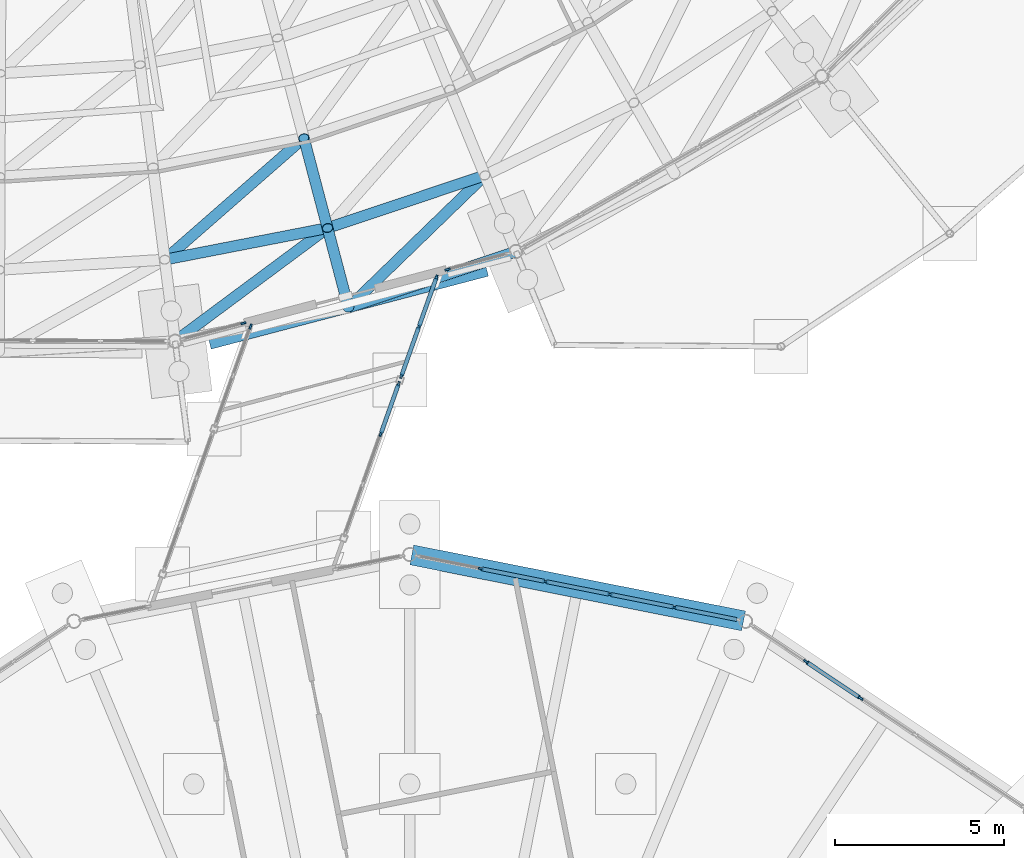
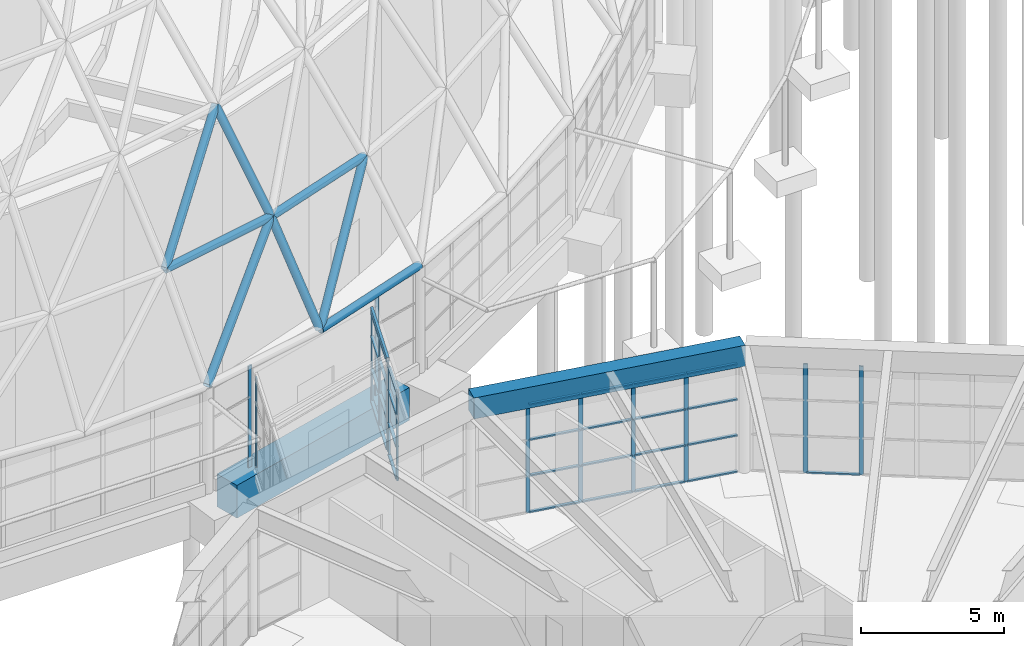
# One storey, part 97 of 226: 51 members, 3 beams, 7 elements without a shape of their own.
"""IFC4 building model written with IfcOpenShell, lengths in metres."""

from ifc_helpers import new_model, si_unit, direction, frame, origin, origin_2d, place, context, subcontext, project, spatial, rectangle, hollow_rectangle, hollow_circle, extrude, material, material_profile, profile_set, type_object, element, aggregate, save


model = new_model("IFC4")

# Units and contexts
model_context = context("Model", 3, precision=1e-05, world=origin(), true_north=direction((0.0, 1.0)))
body_context = subcontext(model_context, "Body", "Model", "MODEL_VIEW")
ifc_project = project(units=[si_unit("LENGTHUNIT", "METRE"), si_unit("AREAUNIT", "SQUARE_METRE"), si_unit("VOLUMEUNIT", "CUBIC_METRE"), si_unit("PLANEANGLEUNIT", "RADIAN"), si_unit("MASSUNIT", "GRAM", prefix="KILO")], contexts=[model_context])

# Site, building, storey
site_placement = place(None, origin())
site = spatial("IfcSite", under=ifc_project, at=site_placement, CompositionType="ELEMENT")
building_placement = place(site_placement, origin())
building = spatial("IfcBuilding", under=site, at=building_placement, Name="Ceibo Conservatory and Research Tower", CompositionType="ELEMENT")
storey_placement = place(building_placement, origin())
storey = spatial("IfcBuildingStorey", under=building, at=storey_placement, Name="L00", CompositionType="ELEMENT", Elevation=0.0)

# Members
ifc_material_1 = material(Name="Steel ASTM A500 Gr C", Category="steel")
ifc_material_profile_1 = material_profile(ifc_material_1, hollow_circle(Radius=0.161865234375, WallThickness=0.01025390625, at=origin_2d()), Name="CHS 323.9x10.31")
ifc_profile_set_1 = profile_set([ifc_material_profile_1], Name="Steel ASTM A500 Gr C")
member_type_1 = type_object("IfcMemberType", Name="CHS 323.9x10.31", PredefinedType="NOTDEFINED", material=ifc_profile_set_1)
member_1_placement = place(storey_placement, frame((160.740966796875, 70.735107421875, 8.115966796875), z_axis=(0.981608406676, 0.190905568132, 0.0), x_axis=(-0.190905568132, 0.981608406676, 0.0)))
element("IfcMember", 1, at=member_1_placement, inside=storey, type_object=member_type_1, Name="Gridshell member A-C02-37", PredefinedType="CHORD", context=body_context, shape_type="SweptSolid", body=[
    extrude(hollow_circle(Radius=0.161865234375, WallThickness=0.01025390625, at=origin_2d()), origin(), (0.0, 0.0, 1.0), 4.913330078125),
])
member_2_placement = place(storey_placement, frame((165.56396484375, 71.673095703125, 8.115966796875), z_axis=(0.94834989607, 0.31722621995, 0.0), x_axis=(-0.31722621995, 0.94834989607, 0.0)))
element("IfcMember", 2, at=member_2_placement, inside=storey, type_object=member_type_1, Name="Gridshell member A-C02-38", PredefinedType="CHORD", context=body_context, shape_type="SweptSolid", body=[
    extrude(hollow_circle(Radius=0.161865234375, WallThickness=0.01025390625, at=origin_2d()), origin(), (0.0, 0.0, 1.0), 4.9140625),
])
ifc_material_profile_2 = material_profile(ifc_material_1, hollow_circle(Radius=0.161865234375, WallThickness=0.01416015625, at=origin_2d()), Name="CHS 323.9x14.27")
ifc_profile_set_2 = profile_set([ifc_material_profile_2], Name="Steel ASTM A500 Gr C")
member_type_2 = type_object("IfcMemberType", Name="CHS 323.9x14.27", PredefinedType="NOTDEFINED", material=ifc_profile_set_2)
member_3_placement = place(storey_placement, frame((166.18408203125, 69.318115234375, 4.5), z_axis=(-0.142243326425, 0.540188632558, 0.829435396726), x_axis=(-0.967035567708, -0.254641337547, 0.0)))
element("IfcMember", 3, at=member_3_placement, inside=storey, type_object=member_type_2, Name="Gridshell member A-M38-01", PredefinedType="RAFTER", context=body_context, shape_type="SweptSolid", body=[
    extrude(hollow_circle(Radius=0.161865234375, WallThickness=0.01416015625, at=origin_2d()), origin(), (0.0, 0.0, 1.0), 4.359619140625),
])
member_4_placement = place(storey_placement, frame((165.56396484375, 71.673095703125, 8.115966796875), z_axis=(-0.16127418638, 0.612382565304, 0.773936838844), x_axis=(-0.967027541568, -0.254671815969, 0.0)))
element("IfcMember", 4, at=member_4_placement, inside=storey, type_object=member_type_2, Name="Gridshell member A-M38-02", PredefinedType="RAFTER", context=body_context, shape_type="SweptSolid", body=[
    extrude(hollow_circle(Radius=0.161865234375, WallThickness=0.01416015625, at=origin_2d()), origin(), (0.0, 0.0, 1.0), 4.3583984375),
])
ifc_material_2 = material(Name="Steel S355J2H", Category="steel")
ifc_material_profile_3 = material_profile(ifc_material_2, hollow_circle(Radius=0.161865234375, WallThickness=0.025390625, at=origin_2d()), Name="CHS 323.9x25.40")
ifc_profile_set_3 = profile_set([ifc_material_profile_3], Name="Steel S355J2H")
member_type_3 = type_object("IfcMemberType", Name="CHS 323.9x25.40", PredefinedType="NOTDEFINED", material=ifc_profile_set_3)
member_5_placement = place(storey_placement, frame((166.18408203125, 69.318115234375, 4.5), z_axis=(0.948342120967, 0.317249462726, 0.0), x_axis=(-0.317249462726, 0.948342120967, 0.0)))
element("IfcMember", 5, at=member_5_placement, inside=storey, type_object=member_type_3, Name="Gridshell member A-C01-38", PredefinedType="CHORD", context=body_context, shape_type="SweptSolid", body=[
    extrude(hollow_circle(Radius=0.161865234375, WallThickness=0.025390625, at=origin_2d()), origin(), (0.0, 0.0, 1.0), 5.232177734375),
])
ifc_material_profile_4 = material_profile(ifc_material_1, hollow_circle(Radius=0.161865234375, WallThickness=0.00830078125, at=origin_2d()), Name="CHS 323.9x8.38")
ifc_profile_set_4 = profile_set([ifc_material_profile_4], Name="Steel ASTM A500 Gr C")
member_type_4 = type_object("IfcMemberType", Name="CHS 323.9x8.38", PredefinedType="NOTDEFINED", material=ifc_profile_set_4)
member_6_placement = place(storey_placement, frame((161.048095703125, 68.320068359375, 4.5), z_axis=(0.675357546429, 0.50145215671, 0.540775294381), x_axis=(-0.596138579298, 0.802881556814, 0.0)))
element("IfcMember", 6, at=member_6_placement, inside=storey, type_object=member_type_4, Name="Gridshell diagonal member A-D01-37", PredefinedType="BRACE", context=body_context, shape_type="SweptSolid", body=[
    extrude(hollow_circle(Radius=0.161865234375, WallThickness=0.00830078125, at=origin_2d()), origin(), (0.0, 0.0, 1.0), 6.6865234375),
])
member_7_placement = place(storey_placement, frame((166.18408203125, 69.318115234375, 4.5), z_axis=(0.604168994213, 0.585293276905, 0.54075096527), x_axis=(-0.695798014623, 0.718237511445, 0.0)))
element("IfcMember", 7, at=member_7_placement, inside=storey, type_object=member_type_4, Name="Gridshell diagonal member A-D01-38", PredefinedType="BRACE", context=body_context, shape_type="SweptSolid", body=[
    extrude(hollow_circle(Radius=0.161865234375, WallThickness=0.00830078125, at=origin_2d()), origin(), (0.0, 0.0, 1.0), 6.68701171875),
])
member_8_placement = place(storey_placement, frame((160.740966796875, 70.735107421875, 8.115966796875), z_axis=(0.640626212112, 0.560832641487, 0.524466209205), x_axis=(-0.658693973243, 0.75241095793, 0.0)))
element("IfcMember", 8, at=member_8_placement, inside=storey, type_object=member_type_4, Name="Gridshell diagonal member A-D02-37", PredefinedType="BRACE", context=body_context, shape_type="SweptSolid", body=[
    extrude(hollow_circle(Radius=0.161865234375, WallThickness=0.00830078125, at=origin_2d()), origin(), (0.0, 0.0, 1.0), 6.431396484375),
])

# Curtain wall, member
ifc_material_3 = material(Name="Aluminium and glass", Category="aluminium")
curtain_wall_type_1 = type_object("IfcCurtainWallType", Name="Drum curtain wall", PredefinedType="NOTDEFINED", material=ifc_material_3)
curtain_wall_1_placement = place(storey_placement, origin())
curtain_wall_1 = element("IfcCurtainWall", 9, at=curtain_wall_1_placement, inside=storey, type_object=curtain_wall_type_1, Name="Drum curtain wall A-CW19W", PredefinedType="NOTDEFINED")
ifc_material_4 = material(Name="Aluminium", Category="aluminium")
ifc_material_profile_5 = material_profile(ifc_material_4, rectangle(XDim=0.06005859375, YDim=0.159912109375, at=origin_2d()), Name="AL 60x160")
ifc_profile_set_5 = profile_set([ifc_material_profile_5], Name="Aluminium")
member_type_5 = type_object("IfcMemberType", Name="Drum mullion 60x160", PredefinedType="MULLION", material=ifc_profile_set_5)
member_9_placement = place(storey_placement, frame((163.074462890625, 68.853271484375, 0.0), z_axis=(0.0, 0.0, 1.0), x_axis=(-0.254601962062, 0.967045935266, 0.0)))
member_9 = element("IfcMember", 10, at=member_9_placement, type_object=member_type_5, Name="A-CW19W mullion 2", PredefinedType="MULLION", context=body_context, shape_type="SweptSolid", body=[
    extrude(rectangle(XDim=0.06005859375, YDim=0.159912109375, at=origin_2d()), origin(), (0.0, 0.0, 1.0), 4.338134765625),
])
aggregate(curtain_wall_1, [member_9])

curtain_wall_2_placement = place(storey_placement, origin())
curtain_wall_2 = element("IfcCurtainWall", 11, at=curtain_wall_2_placement, inside=storey, type_object=curtain_wall_type_1, Name="Drum curtain wall A-CW19E", PredefinedType="NOTDEFINED")
member_10_placement = place(storey_placement, frame((169.119384765625, 70.44482421875, 0.0), z_axis=(0.0, 0.0, 1.0), x_axis=(-0.254601962062, 0.967045935266, 0.0)))
member_10 = element("IfcMember", 12, at=member_10_placement, type_object=member_type_5, Name="A-CW19E mullion 1", PredefinedType="MULLION", context=body_context, shape_type="SweptSolid", body=[
    extrude(rectangle(XDim=0.06005859375, YDim=0.159912109375, at=origin_2d()), origin(), (0.0, 0.0, 1.0), 4.338134765625),
])
aggregate(curtain_wall_2, [member_10])

# Curtain wall, members
curtain_wall_type_2 = type_object("IfcCurtainWallType", Name="Gallery curtain wall", PredefinedType="NOTDEFINED", material=ifc_material_3)
curtain_wall_3_placement = place(storey_placement, origin())
curtain_wall_3 = element("IfcCurtainWall", 13, at=curtain_wall_3_placement, inside=storey, type_object=curtain_wall_type_2, Name="Gallery curtain wall A-VC-CWN01", PredefinedType="NOTDEFINED")
ifc_material_profile_6 = material_profile(ifc_material_4, rectangle(XDim=0.06005859375, YDim=0.159912109375, at=origin_2d()), Name="AL 60x160")
ifc_profile_set_6 = profile_set([ifc_material_profile_6], Name="Aluminium")
member_type_6 = type_object("IfcMemberType", Name="Gallery mullion 60x160", PredefinedType="MULLION", material=ifc_profile_set_6)
member_11_placement = place(storey_placement, frame((168.787841796875, 70.20263671875, 0.0), z_axis=(0.0, 0.0, 1.0), x_axis=(0.942203896378, -0.335040023954, 0.0)))
member_11 = element("IfcMember", 14, at=member_11_placement, type_object=member_type_6, Name="A-VC-CWN01 mullion 1", PredefinedType="MULLION", context=body_context, shape_type="SweptSolid", body=[
    extrude(rectangle(XDim=0.06005859375, YDim=0.159912109375, at=origin_2d()), origin(), (0.0, 0.0, 1.0), 3.800048828125),
])
member_12_placement = place(storey_placement, frame((168.2705078125, 68.74755859375, 0.0), z_axis=(0.0, 0.0, 1.0), x_axis=(0.942203896378, -0.335040023954, 0.0)))
member_12 = element("IfcMember", 15, at=member_12_placement, type_object=member_type_6, Name="A-VC-CWN01 mullion 2", PredefinedType="MULLION", context=body_context, shape_type="SweptSolid", body=[
    extrude(rectangle(XDim=0.06005859375, YDim=0.159912109375, at=origin_2d()), origin(), (0.0, 0.0, 1.0), 3.800048828125),
])
member_13_placement = place(storey_placement, frame((167.753173828125, 67.29248046875, 0.0), z_axis=(0.0, 0.0, 1.0), x_axis=(0.942203896378, -0.335040023954, 0.0)))
member_13 = element("IfcMember", 16, at=member_13_placement, type_object=member_type_6, Name="A-VC-CWN01 mullion 3", PredefinedType="MULLION", context=body_context, shape_type="SweptSolid", body=[
    extrude(rectangle(XDim=0.06005859375, YDim=0.159912109375, at=origin_2d()), origin(), (0.0, 0.0, 1.0), 3.800048828125),
])

curtain_wall_4_placement = place(storey_placement, origin())
curtain_wall_4 = element("IfcCurtainWall", 17, at=curtain_wall_4_placement, inside=storey, type_object=curtain_wall_type_2, Name="Gallery curtain wall A-VC-CWN02", PredefinedType="NOTDEFINED")
member_14_placement = place(storey_placement, frame((167.666015625, 67.047607421875, 0.0), z_axis=(0.0, 0.0, 1.0), x_axis=(0.942203896378, -0.335040023954, 0.0)))
member_14 = element("IfcMember", 18, at=member_14_placement, type_object=member_type_6, Name="A-VC-CWN02 mullion 1", PredefinedType="MULLION", context=body_context, shape_type="SweptSolid", body=[
    extrude(rectangle(XDim=0.06005859375, YDim=0.159912109375, at=origin_2d()), origin(), (0.0, 0.0, 1.0), 3.800048828125),
])
member_15_placement = place(storey_placement, frame((167.143310546875, 65.577392578125, 0.0), z_axis=(0.0, 0.0, 1.0), x_axis=(0.942203896378, -0.335040023954, 0.0)))
member_15 = element("IfcMember", 19, at=member_15_placement, type_object=member_type_6, Name="A-VC-CWN02 mullion 2", PredefinedType="MULLION", context=body_context, shape_type="SweptSolid", body=[
    extrude(rectangle(XDim=0.06005859375, YDim=0.159912109375, at=origin_2d()), origin(), (0.0, 0.0, 1.0), 3.800048828125),
])

# Curtain wall, member
curtain_wall_5_placement = place(storey_placement, origin())
curtain_wall_5 = element("IfcCurtainWall", 20, at=curtain_wall_5_placement, inside=storey, type_object=curtain_wall_type_2, Name="Gallery curtain wall A-VC-CWS01", PredefinedType="NOTDEFINED")
member_16_placement = place(storey_placement, frame((163.284423828125, 68.753662109375, 0.0), z_axis=(0.0, 0.0, 1.0), x_axis=(0.942203896378, -0.335040023954, 0.0)))
member_16 = element("IfcMember", 21, at=member_16_placement, type_object=member_type_6, Name="A-VC-CWS01 mullion 1", PredefinedType="MULLION", context=body_context, shape_type="SweptSolid", body=[
    extrude(rectangle(XDim=0.06005859375, YDim=0.159912109375, at=origin_2d()), origin(), (0.0, 0.0, 1.0), 3.800048828125),
])
aggregate(curtain_wall_5, [member_16])

# Member
ifc_material_profile_7 = material_profile(ifc_material_4, rectangle(XDim=0.1201171875, YDim=0.06005859375, at=origin_2d()), Name="AL 60x120")
ifc_profile_set_7 = profile_set([ifc_material_profile_7], Name="Aluminium")
member_type_7 = type_object("IfcMemberType", Name="Gallery transom 60x120", PredefinedType="USERDEFINED", material=ifc_profile_set_7)
member_17_placement = place(storey_placement, frame((168.77783203125, 70.17431640625, 0.030029296875), z_axis=(-0.335064833395, -0.942195073975, 0.0), x_axis=(0.942195073975, -0.335064833395, 0.0)))
member_17 = element("IfcMember", 22, at=member_17_placement, type_object=member_type_7, Name="A-VC-CWN01 transom 1.1", ObjectType="TRANSOM", PredefinedType="USERDEFINED", context=body_context, shape_type="SweptSolid", body=[
    extrude(rectangle(XDim=0.1201171875, YDim=0.06005859375, at=origin_2d()), origin(), (0.0, 0.0, 1.0), 1.484130859375),
])

member_18_placement = place(storey_placement, frame((168.77783203125, 70.17431640625, 1.39990234375), z_axis=(-0.335064833395, -0.942195073975, 0.0), x_axis=(0.942195073975, -0.335064833395, 0.0)))
member_18 = element("IfcMember", 23, at=member_18_placement, type_object=member_type_7, Name="A-VC-CWN01 transom 1.2", ObjectType="TRANSOM", PredefinedType="USERDEFINED", context=body_context, shape_type="SweptSolid", body=[
    extrude(rectangle(XDim=0.1201171875, YDim=0.06005859375, at=origin_2d()), origin(), (0.0, 0.0, 1.0), 1.484130859375),
])

member_19_placement = place(storey_placement, frame((168.77783203125, 70.17431640625, 2.800048828125), z_axis=(-0.335064833395, -0.942195073975, 0.0), x_axis=(0.942195073975, -0.335064833395, 0.0)))
member_19 = element("IfcMember", 24, at=member_19_placement, type_object=member_type_7, Name="A-VC-CWN01 transom 1.3", ObjectType="TRANSOM", PredefinedType="USERDEFINED", context=body_context, shape_type="SweptSolid", body=[
    extrude(rectangle(XDim=0.1201171875, YDim=0.06005859375, at=origin_2d()), origin(), (0.0, 0.0, 1.0), 1.484130859375),
])

member_20_placement = place(storey_placement, frame((168.77783203125, 70.17431640625, 3.77001953125), z_axis=(-0.335064833395, -0.942195073975, 0.0), x_axis=(0.942195073975, -0.335064833395, 0.0)))
member_20 = element("IfcMember", 25, at=member_20_placement, type_object=member_type_7, Name="A-VC-CWN01 transom 1.4", ObjectType="TRANSOM", PredefinedType="USERDEFINED", context=body_context, shape_type="SweptSolid", body=[
    extrude(rectangle(XDim=0.1201171875, YDim=0.06005859375, at=origin_2d()), origin(), (0.0, 0.0, 1.0), 1.484130859375),
])

member_21_placement = place(storey_placement, frame((168.260498046875, 68.719482421875, 0.030029296875), z_axis=(-0.335012912227, -0.942213536647, 0.0), x_axis=(0.942213536647, -0.335012912227, 0.0)))
member_21 = element("IfcMember", 26, at=member_21_placement, type_object=member_type_7, Name="A-VC-CWN01 transom 2.1", ObjectType="TRANSOM", PredefinedType="USERDEFINED", context=body_context, shape_type="SweptSolid", body=[
    extrude(rectangle(XDim=0.1201171875, YDim=0.06005859375, at=origin_2d()), origin(), (0.0, 0.0, 1.0), 1.484375),
])

member_22_placement = place(storey_placement, frame((168.260498046875, 68.719482421875, 1.39990234375), z_axis=(-0.335012912227, -0.942213536647, 0.0), x_axis=(0.942213536647, -0.335012912227, 0.0)))
member_22 = element("IfcMember", 27, at=member_22_placement, type_object=member_type_7, Name="A-VC-CWN01 transom 2.2", ObjectType="TRANSOM", PredefinedType="USERDEFINED", context=body_context, shape_type="SweptSolid", body=[
    extrude(rectangle(XDim=0.1201171875, YDim=0.06005859375, at=origin_2d()), origin(), (0.0, 0.0, 1.0), 1.484375),
])

member_23_placement = place(storey_placement, frame((168.260498046875, 68.719482421875, 2.800048828125), z_axis=(-0.335012912227, -0.942213536647, 0.0), x_axis=(0.942213536647, -0.335012912227, 0.0)))
member_23 = element("IfcMember", 28, at=member_23_placement, type_object=member_type_7, Name="A-VC-CWN01 transom 2.3", ObjectType="TRANSOM", PredefinedType="USERDEFINED", context=body_context, shape_type="SweptSolid", body=[
    extrude(rectangle(XDim=0.1201171875, YDim=0.06005859375, at=origin_2d()), origin(), (0.0, 0.0, 1.0), 1.484375),
])

member_24_placement = place(storey_placement, frame((168.260498046875, 68.719482421875, 3.77001953125), z_axis=(-0.335012912227, -0.942213536647, 0.0), x_axis=(0.942213536647, -0.335012912227, 0.0)))
member_24 = element("IfcMember", 29, at=member_24_placement, type_object=member_type_7, Name="A-VC-CWN01 transom 2.4", ObjectType="TRANSOM", PredefinedType="USERDEFINED", context=body_context, shape_type="SweptSolid", body=[
    extrude(rectangle(XDim=0.1201171875, YDim=0.06005859375, at=origin_2d()), origin(), (0.0, 0.0, 1.0), 1.484375),
])

aggregate(curtain_wall_3, [member_11, member_12, member_13, member_17, member_18, member_19, member_20, member_21, member_22, member_23, member_24])

member_25_placement = place(storey_placement, frame((167.656005859375, 67.019287109375, 0.030029296875), z_axis=(-0.335057822274, -0.94219756725, 0.0), x_axis=(0.94219756725, -0.335057822274, 0.0)))
member_25 = element("IfcMember", 30, at=member_25_placement, type_object=member_type_7, Name="A-VC-CWN02 transom 1.1", ObjectType="TRANSOM", PredefinedType="USERDEFINED", context=body_context, shape_type="SweptSolid", body=[
    extrude(rectangle(XDim=0.1201171875, YDim=0.06005859375, at=origin_2d()), origin(), (0.0, 0.0, 1.0), 1.500244140625),
])

member_26_placement = place(storey_placement, frame((167.656005859375, 67.019287109375, 1.39990234375), z_axis=(-0.335057822274, -0.94219756725, 0.0), x_axis=(0.94219756725, -0.335057822274, 0.0)))
member_26 = element("IfcMember", 31, at=member_26_placement, type_object=member_type_7, Name="A-VC-CWN02 transom 1.2", ObjectType="TRANSOM", PredefinedType="USERDEFINED", context=body_context, shape_type="SweptSolid", body=[
    extrude(rectangle(XDim=0.1201171875, YDim=0.06005859375, at=origin_2d()), origin(), (0.0, 0.0, 1.0), 1.500244140625),
])

member_27_placement = place(storey_placement, frame((167.656005859375, 67.019287109375, 2.800048828125), z_axis=(-0.335057822274, -0.94219756725, 0.0), x_axis=(0.94219756725, -0.335057822274, 0.0)))
member_27 = element("IfcMember", 32, at=member_27_placement, type_object=member_type_7, Name="A-VC-CWN02 transom 1.3", ObjectType="TRANSOM", PredefinedType="USERDEFINED", context=body_context, shape_type="SweptSolid", body=[
    extrude(rectangle(XDim=0.1201171875, YDim=0.06005859375, at=origin_2d()), origin(), (0.0, 0.0, 1.0), 1.500244140625),
])

member_28_placement = place(storey_placement, frame((167.656005859375, 67.019287109375, 3.77001953125), z_axis=(-0.335057822274, -0.94219756725, 0.0), x_axis=(0.94219756725, -0.335057822274, 0.0)))
member_28 = element("IfcMember", 33, at=member_28_placement, type_object=member_type_7, Name="A-VC-CWN02 transom 1.4", ObjectType="TRANSOM", PredefinedType="USERDEFINED", context=body_context, shape_type="SweptSolid", body=[
    extrude(rectangle(XDim=0.1201171875, YDim=0.06005859375, at=origin_2d()), origin(), (0.0, 0.0, 1.0), 1.500244140625),
])

aggregate(curtain_wall_4, [member_14, member_15, member_25, member_26, member_27, member_28])

# Curtain wall, members
curtain_wall_type_3 = type_object("IfcCurtainWallType", Name="Pavilion curtain wall", PredefinedType="NOTDEFINED", material=ifc_material_3)
curtain_wall_6_placement = place(storey_placement, origin())
curtain_wall_6 = element("IfcCurtainWall", 34, at=curtain_wall_6_placement, inside=storey, type_object=curtain_wall_type_3, Name="Pavilion curtain wall VC-CW03", PredefinedType="NOTDEFINED")
ifc_material_profile_8 = material_profile(ifc_material_4, rectangle(XDim=0.06005859375, YDim=0.159912109375, at=origin_2d()), Name="AL 60x160")
ifc_profile_set_8 = profile_set([ifc_material_profile_8], Name="Aluminium")
member_type_8 = type_object("IfcMemberType", Name="Pavilion mullion 60x160", PredefinedType="MULLION", material=ifc_profile_set_8)
member_29_placement = place(storey_placement, frame((181.357666015625, 57.743896484375, 0.0), z_axis=(0.0, 0.0, 1.0), x_axis=(-0.555570267906, -0.831469588992, 0.0)))
member_29 = element("IfcMember", 35, at=member_29_placement, type_object=member_type_8, Name="VC-CW03 mullion 4", PredefinedType="MULLION", context=body_context, shape_type="SweptSolid", body=[
    extrude(rectangle(XDim=0.06005859375, YDim=0.159912109375, at=origin_2d()), origin(), (0.0, 0.0, 1.0), 4.64892578125),
])
member_30_placement = place(storey_placement, frame((179.738037109375, 58.825927734375, 0.0), z_axis=(0.0, 0.0, 1.0), x_axis=(-0.555570267906, -0.831469588992, 0.0)))
member_30 = element("IfcMember", 36, at=member_30_placement, type_object=member_type_8, Name="VC-CW03 mullion 5", PredefinedType="MULLION", context=body_context, shape_type="SweptSolid", body=[
    extrude(rectangle(XDim=0.06005859375, YDim=0.159912109375, at=origin_2d()), origin(), (0.0, 0.0, 1.0), 4.64892578125),
])

curtain_wall_7_placement = place(storey_placement, origin())
curtain_wall_7 = element("IfcCurtainWall", 37, at=curtain_wall_7_placement, inside=storey, type_object=curtain_wall_type_3, Name="Pavilion curtain wall VC-CW04", PredefinedType="NOTDEFINED")
member_31_placement = place(storey_placement, frame((175.84033203125, 60.4404296875, 0.0), z_axis=(0.0, 0.0, 1.0), x_axis=(-0.195090311899, -0.980785282416, 0.0)))
member_31 = element("IfcMember", 38, at=member_31_placement, type_object=member_type_8, Name="VC-CW04 mullion 2", PredefinedType="MULLION", context=body_context, shape_type="SweptSolid", body=[
    extrude(rectangle(XDim=0.06005859375, YDim=0.159912109375, at=origin_2d()), origin(), (0.0, 0.0, 1.0), 4.64892578125),
])
member_32_placement = place(storey_placement, frame((173.929931640625, 60.820556640625, 0.0), z_axis=(0.0, 0.0, 1.0), x_axis=(-0.195090311899, -0.980785282416, 0.0)))
member_32 = element("IfcMember", 39, at=member_32_placement, type_object=member_type_8, Name="VC-CW04 mullion 3", PredefinedType="MULLION", context=body_context, shape_type="SweptSolid", body=[
    extrude(rectangle(XDim=0.06005859375, YDim=0.159912109375, at=origin_2d()), origin(), (0.0, 0.0, 1.0), 4.64892578125),
])
member_33_placement = place(storey_placement, frame((172.019775390625, 61.200439453125, 0.0), z_axis=(0.0, 0.0, 1.0), x_axis=(-0.195090311899, -0.980785282416, 0.0)))
member_33 = element("IfcMember", 40, at=member_33_placement, type_object=member_type_8, Name="VC-CW04 mullion 4", PredefinedType="MULLION", context=body_context, shape_type="SweptSolid", body=[
    extrude(rectangle(XDim=0.06005859375, YDim=0.159912109375, at=origin_2d()), origin(), (0.0, 0.0, 1.0), 4.64892578125),
])
member_34_placement = place(storey_placement, frame((170.109619140625, 61.580322265625, 0.0), z_axis=(0.0, 0.0, 1.0), x_axis=(-0.195090311899, -0.980785282416, 0.0)))
member_34 = element("IfcMember", 41, at=member_34_placement, type_object=member_type_8, Name="VC-CW04 mullion 5", PredefinedType="MULLION", context=body_context, shape_type="SweptSolid", body=[
    extrude(rectangle(XDim=0.06005859375, YDim=0.159912109375, at=origin_2d()), origin(), (0.0, 0.0, 1.0), 4.64892578125),
])

# Member
ifc_material_profile_9 = material_profile(ifc_material_4, rectangle(XDim=0.1201171875, YDim=0.06005859375, at=origin_2d()), Name="AL 60x120")
ifc_profile_set_9 = profile_set([ifc_material_profile_9], Name="Aluminium")
member_type_9 = type_object("IfcMemberType", Name="Pavilion transom 60x120", PredefinedType="USERDEFINED", material=ifc_profile_set_9)
member_35_placement = place(storey_placement, frame((181.33251953125, 57.760498046875, 0.030029296875), z_axis=(-0.831412983501, 0.555654974661, 0.0), x_axis=(-0.555654974661, -0.831412983501, 0.0)))
member_35 = element("IfcMember", 42, at=member_35_placement, type_object=member_type_9, Name="VC-CW03 transom 4.1", ObjectType="TRANSOM", PredefinedType="USERDEFINED", context=body_context, shape_type="SweptSolid", body=[
    extrude(rectangle(XDim=0.1201171875, YDim=0.06005859375, at=origin_2d()), origin(), (0.0, 0.0, 1.0), 1.887451171875),
])

aggregate(curtain_wall_6, [member_29, member_30, member_35])

member_36_placement = place(storey_placement, frame((177.691650390625, 60.072265625, 0.030029296875), z_axis=(-0.980797424149, 0.195029261348, 0.0), x_axis=(-0.195029261348, -0.980797424149, 0.0)))
member_36 = element("IfcMember", 43, at=member_36_placement, type_object=member_type_9, Name="VC-CW04 transom 1.1", ObjectType="TRANSOM", PredefinedType="USERDEFINED", context=body_context, shape_type="SweptSolid", body=[
    extrude(rectangle(XDim=0.1201171875, YDim=0.06005859375, at=origin_2d()), origin(), (0.0, 0.0, 1.0), 1.857666015625),
])

member_37_placement = place(storey_placement, frame((177.691650390625, 60.072265625, 1.5810546875), z_axis=(-0.980797424149, 0.195029261348, 0.0), x_axis=(-0.195029261348, -0.980797424149, 0.0)))
member_37 = element("IfcMember", 44, at=member_37_placement, type_object=member_type_9, Name="VC-CW04 transom 1.2", ObjectType="TRANSOM", PredefinedType="USERDEFINED", context=body_context, shape_type="SweptSolid", body=[
    extrude(rectangle(XDim=0.1201171875, YDim=0.06005859375, at=origin_2d()), origin(), (0.0, 0.0, 1.0), 1.857666015625),
])

member_38_placement = place(storey_placement, frame((177.691650390625, 60.072265625, 3.114990234375), z_axis=(-0.980797424149, 0.195029261348, 0.0), x_axis=(-0.195029261348, -0.980797424149, 0.0)))
member_38 = element("IfcMember", 45, at=member_38_placement, type_object=member_type_9, Name="VC-CW04 transom 1.3", ObjectType="TRANSOM", PredefinedType="USERDEFINED", context=body_context, shape_type="SweptSolid", body=[
    extrude(rectangle(XDim=0.1201171875, YDim=0.06005859375, at=origin_2d()), origin(), (0.0, 0.0, 1.0), 1.857666015625),
])

member_39_placement = place(storey_placement, frame((177.691650390625, 60.072265625, 4.618896484375), z_axis=(-0.980797424149, 0.195029261348, 0.0), x_axis=(-0.195029261348, -0.980797424149, 0.0)))
member_39 = element("IfcMember", 46, at=member_39_placement, type_object=member_type_9, Name="VC-CW04 transom 1.4", ObjectType="TRANSOM", PredefinedType="USERDEFINED", context=body_context, shape_type="SweptSolid", body=[
    extrude(rectangle(XDim=0.1201171875, YDim=0.06005859375, at=origin_2d()), origin(), (0.0, 0.0, 1.0), 1.857666015625),
])

member_40_placement = place(storey_placement, frame((175.810791015625, 60.4462890625, 0.030029296875), z_axis=(-0.980769252487, 0.195170882501, 0.0), x_axis=(-0.195170882501, -0.980769252487, 0.0)))
member_40 = element("IfcMember", 47, at=member_40_placement, type_object=member_type_9, Name="VC-CW04 transom 2.1", ObjectType="TRANSOM", PredefinedType="USERDEFINED", context=body_context, shape_type="SweptSolid", body=[
    extrude(rectangle(XDim=0.1201171875, YDim=0.06005859375, at=origin_2d()), origin(), (0.0, 0.0, 1.0), 1.8876953125),
])

member_41_placement = place(storey_placement, frame((175.810791015625, 60.4462890625, 1.5810546875), z_axis=(-0.980769252487, 0.195170882501, 0.0), x_axis=(-0.195170882501, -0.980769252487, 0.0)))
member_41 = element("IfcMember", 48, at=member_41_placement, type_object=member_type_9, Name="VC-CW04 transom 2.2", ObjectType="TRANSOM", PredefinedType="USERDEFINED", context=body_context, shape_type="SweptSolid", body=[
    extrude(rectangle(XDim=0.1201171875, YDim=0.06005859375, at=origin_2d()), origin(), (0.0, 0.0, 1.0), 1.8876953125),
])

member_42_placement = place(storey_placement, frame((175.810791015625, 60.4462890625, 3.114990234375), z_axis=(-0.980769252487, 0.195170882501, 0.0), x_axis=(-0.195170882501, -0.980769252487, 0.0)))
member_42 = element("IfcMember", 49, at=member_42_placement, type_object=member_type_9, Name="VC-CW04 transom 2.3", ObjectType="TRANSOM", PredefinedType="USERDEFINED", context=body_context, shape_type="SweptSolid", body=[
    extrude(rectangle(XDim=0.1201171875, YDim=0.06005859375, at=origin_2d()), origin(), (0.0, 0.0, 1.0), 1.8876953125),
])

member_43_placement = place(storey_placement, frame((175.810791015625, 60.4462890625, 4.618896484375), z_axis=(-0.980769252487, 0.195170882501, 0.0), x_axis=(-0.195170882501, -0.980769252487, 0.0)))
member_43 = element("IfcMember", 50, at=member_43_placement, type_object=member_type_9, Name="VC-CW04 transom 2.4", ObjectType="TRANSOM", PredefinedType="USERDEFINED", context=body_context, shape_type="SweptSolid", body=[
    extrude(rectangle(XDim=0.1201171875, YDim=0.06005859375, at=origin_2d()), origin(), (0.0, 0.0, 1.0), 1.8876953125),
])

member_44_placement = place(storey_placement, frame((173.900634765625, 60.826416015625, 0.030029296875), z_axis=(-0.980798922376, 0.195021726654, 0.0), x_axis=(-0.195021726654, -0.980798922376, 0.0)))
member_44 = element("IfcMember", 51, at=member_44_placement, type_object=member_type_9, Name="VC-CW04 transom 3.1", ObjectType="TRANSOM", PredefinedType="USERDEFINED", context=body_context, shape_type="SweptSolid", body=[
    extrude(rectangle(XDim=0.1201171875, YDim=0.06005859375, at=origin_2d()), origin(), (0.0, 0.0, 1.0), 1.8876953125),
])

member_45_placement = place(storey_placement, frame((173.900634765625, 60.826416015625, 1.5810546875), z_axis=(-0.980798922376, 0.195021726654, 0.0), x_axis=(-0.195021726654, -0.980798922376, 0.0)))
member_45 = element("IfcMember", 52, at=member_45_placement, type_object=member_type_9, Name="VC-CW04 transom 3.2", ObjectType="TRANSOM", PredefinedType="USERDEFINED", context=body_context, shape_type="SweptSolid", body=[
    extrude(rectangle(XDim=0.1201171875, YDim=0.06005859375, at=origin_2d()), origin(), (0.0, 0.0, 1.0), 1.8876953125),
])

member_46_placement = place(storey_placement, frame((173.900634765625, 60.826416015625, 3.114990234375), z_axis=(-0.980798922376, 0.195021726654, 0.0), x_axis=(-0.195021726654, -0.980798922376, 0.0)))
member_46 = element("IfcMember", 53, at=member_46_placement, type_object=member_type_9, Name="VC-CW04 transom 3.3", ObjectType="TRANSOM", PredefinedType="USERDEFINED", context=body_context, shape_type="SweptSolid", body=[
    extrude(rectangle(XDim=0.1201171875, YDim=0.06005859375, at=origin_2d()), origin(), (0.0, 0.0, 1.0), 1.8876953125),
])

member_47_placement = place(storey_placement, frame((173.900634765625, 60.826416015625, 4.618896484375), z_axis=(-0.980798922376, 0.195021726654, 0.0), x_axis=(-0.195021726654, -0.980798922376, 0.0)))
member_47 = element("IfcMember", 54, at=member_47_placement, type_object=member_type_9, Name="VC-CW04 transom 3.4", ObjectType="TRANSOM", PredefinedType="USERDEFINED", context=body_context, shape_type="SweptSolid", body=[
    extrude(rectangle(XDim=0.1201171875, YDim=0.06005859375, at=origin_2d()), origin(), (0.0, 0.0, 1.0), 1.8876953125),
])

member_48_placement = place(storey_placement, frame((171.990234375, 61.206298828125, 0.030029296875), z_axis=(-0.98079400277, 0.195046466593, 0.0), x_axis=(-0.195046466593, -0.98079400277, 0.0)))
member_48 = element("IfcMember", 55, at=member_48_placement, type_object=member_type_9, Name="VC-CW04 transom 4.1", ObjectType="TRANSOM", PredefinedType="USERDEFINED", context=body_context, shape_type="SweptSolid", body=[
    extrude(rectangle(XDim=0.1201171875, YDim=0.06005859375, at=origin_2d()), origin(), (0.0, 0.0, 1.0), 1.887451171875),
])

member_49_placement = place(storey_placement, frame((171.990234375, 61.206298828125, 1.5810546875), z_axis=(-0.98079400277, 0.195046466593, 0.0), x_axis=(-0.195046466593, -0.98079400277, 0.0)))
member_49 = element("IfcMember", 56, at=member_49_placement, type_object=member_type_9, Name="VC-CW04 transom 4.2", ObjectType="TRANSOM", PredefinedType="USERDEFINED", context=body_context, shape_type="SweptSolid", body=[
    extrude(rectangle(XDim=0.1201171875, YDim=0.06005859375, at=origin_2d()), origin(), (0.0, 0.0, 1.0), 1.887451171875),
])

member_50_placement = place(storey_placement, frame((171.990234375, 61.206298828125, 3.114990234375), z_axis=(-0.98079400277, 0.195046466593, 0.0), x_axis=(-0.195046466593, -0.98079400277, 0.0)))
member_50 = element("IfcMember", 57, at=member_50_placement, type_object=member_type_9, Name="VC-CW04 transom 4.3", ObjectType="TRANSOM", PredefinedType="USERDEFINED", context=body_context, shape_type="SweptSolid", body=[
    extrude(rectangle(XDim=0.1201171875, YDim=0.06005859375, at=origin_2d()), origin(), (0.0, 0.0, 1.0), 1.887451171875),
])

member_51_placement = place(storey_placement, frame((171.990234375, 61.206298828125, 4.618896484375), z_axis=(-0.98079400277, 0.195046466593, 0.0), x_axis=(-0.195046466593, -0.98079400277, 0.0)))
member_51 = element("IfcMember", 58, at=member_51_placement, type_object=member_type_9, Name="VC-CW04 transom 4.4", ObjectType="TRANSOM", PredefinedType="USERDEFINED", context=body_context, shape_type="SweptSolid", body=[
    extrude(rectangle(XDim=0.1201171875, YDim=0.06005859375, at=origin_2d()), origin(), (0.0, 0.0, 1.0), 1.887451171875),
])

aggregate(curtain_wall_7, [member_31, member_32, member_33, member_34, member_36, member_37, member_38, member_39, member_40, member_41, member_42, member_43, member_44, member_45, member_46, member_47, member_48, member_49, member_50, member_51])

# Beams
ifc_material_5 = material(Name="Concrete C35/45", Category="concrete")
ifc_material_profile_10 = material_profile(ifc_material_5, rectangle(XDim=1.0, YDim=1.39990234375, at=origin_2d()), Name="RC 1000x1400")
ifc_profile_set_10 = profile_set([ifc_material_profile_10], Name="Concrete C35/45")
beam_type_1 = type_object("IfcBeamType", Name="RC ring beam 1000x1400", PredefinedType="BEAM", material=ifc_profile_set_10)
beam_1_placement = place(storey_placement, frame((161.990478515625, 68.56787109375, -0.699951171875), z_axis=(0.967043623557, 0.254610742385, 0.0), x_axis=(-0.254610742385, 0.967043623557, 0.0)))
element("IfcBeam", 59, at=beam_1_placement, inside=storey, type_object=beam_type_1, Name="Drum ring beam A-RB19", PredefinedType="BEAM", context=body_context, shape_type="SweptSolid", body=[
    extrude(rectangle(XDim=1.0, YDim=1.39990234375, at=origin_2d()), origin(), (0.0, 0.0, 1.0), 8.49267578125),
])
ifc_material_profile_11 = material_profile(ifc_material_5, rectangle(XDim=0.60009765625, YDim=0.89990234375, at=origin_2d()), Name="RC 600x900")
ifc_profile_set_11 = profile_set([ifc_material_profile_11], Name="Concrete C35/45")
beam_type_2 = type_object("IfcBeamType", Name="RC ring beam 600x900", PredefinedType="BEAM", material=ifc_profile_set_11)
beam_2_placement = place(storey_placement, frame((177.88916015625, 60.032958984375, 5.09912109375), z_axis=(-0.980784413745, 0.195094678952, 0.0), x_axis=(-0.195094678952, -0.980784413745, 0.0)))
element("IfcBeam", 60, at=beam_2_placement, inside=storey, type_object=beam_type_2, Name="Pavilion ring beam VC-RB04", PredefinedType="BEAM", context=body_context, shape_type="SweptSolid", body=[
    extrude(rectangle(XDim=0.60009765625, YDim=0.89990234375, at=origin_2d()), origin(), (0.0, 0.0, 1.0), 10.021240234375),
])
ifc_material_profile_12 = material_profile(ifc_material_2, hollow_rectangle(XDim=0.10009765625, YDim=0.199951171875, WallThickness=0.008056640625, at=origin_2d()), Name="RHS 200x100x8 edge beam")
ifc_profile_set_12 = profile_set([ifc_material_profile_12], Name="Steel S355J2H")
beam_type_3 = type_object("IfcBeamType", Name="RHS 200x100x8 edge beam", PredefinedType="BEAM", material=ifc_profile_set_12)
beam_3_placement = place(storey_placement, frame((168.7998046875, 70.235595703125, 3.89990234375), z_axis=(-0.335063036563, -0.942195712965, 0.0), x_axis=(0.942195712965, -0.335063036563, 0.0)))
element("IfcBeam", 61, at=beam_3_placement, inside=storey, type_object=beam_type_3, Name="Gallery edge beam A-VC-EBN01", PredefinedType="BEAM", context=body_context, shape_type="SweptSolid", body=[
    extrude(hollow_rectangle(XDim=0.10009765625, YDim=0.199951171875, WallThickness=0.008056640625, at=origin_2d()), origin(), (0.0, 0.0, 1.0), 3.15869140625),
])

save(model, "model.ifc")
